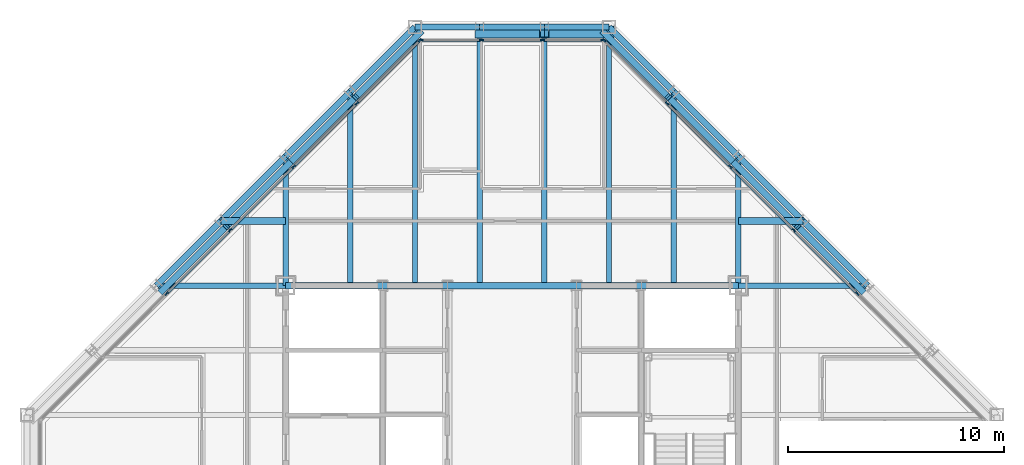
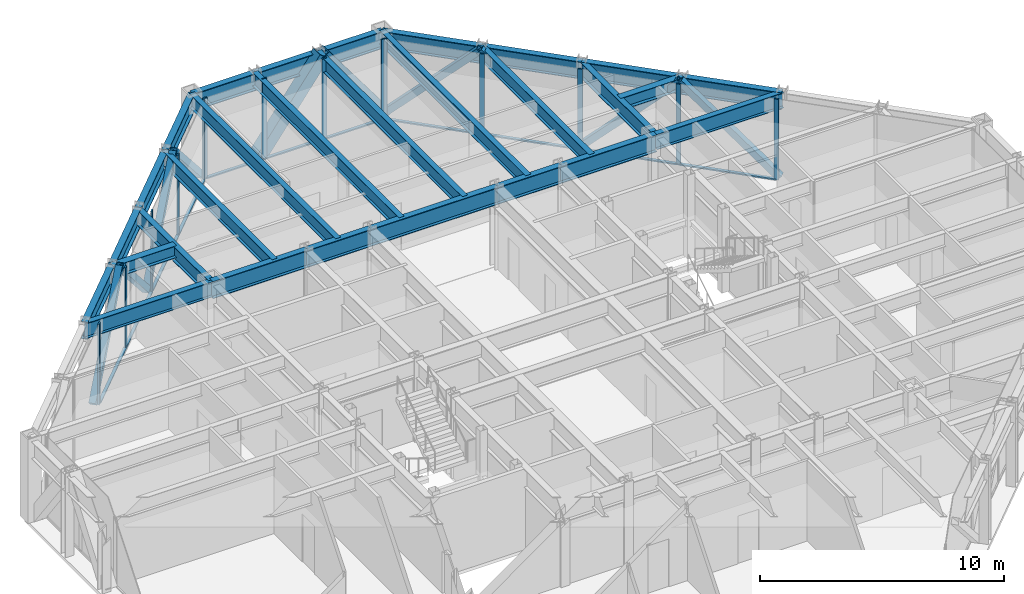
# One storey, part 8 of 15: 35 members, 28 beams, 3 elements without a shape of their own.
"""IFC4 building model written with IfcOpenShell, lengths in metres."""

from ifc_helpers import new_model, si_unit, direction, frame, origin, origin_2d, place, context, subcontext, project, spatial, rectangle, hollow_rectangle, i_section, extrude, material, layer, layer_set, material_profile, profile_set, type_object, element, aggregate, save


model = new_model("IFC4")

# Units and contexts
model_context = context("Model", 3, precision=1e-05, world=origin(), true_north=direction((0.0, 1.0)))
body_context = subcontext(model_context, "Body", "Model", "MODEL_VIEW")
ifc_project = project(units=[si_unit("LENGTHUNIT", "METRE"), si_unit("AREAUNIT", "SQUARE_METRE"), si_unit("VOLUMEUNIT", "CUBIC_METRE"), si_unit("PLANEANGLEUNIT", "RADIAN"), si_unit("MASSUNIT", "GRAM", prefix="KILO")], contexts=[model_context])

# Site, building, storey
site_placement = place(None, origin())
site = spatial("IfcSite", under=ifc_project, at=site_placement, CompositionType="ELEMENT")
building_placement = place(site_placement, origin())
building = spatial("IfcBuilding", under=site, at=building_placement, Name="Chuquiago Exchange Tower", CompositionType="ELEMENT")
storey_placement = place(building_placement, frame((0.0, 0.0, 291.60009765625)))
storey = spatial("IfcBuildingStorey", under=building, at=storey_placement, Name="L65", CompositionType="ELEMENT", Elevation=291.60009765625)

# Beams
ifc_material_1 = material(Name="Steel ASTM A992", Category="steel")
ifc_material_profile_1 = material_profile(ifc_material_1, i_section(OverallWidth=0.25390625, OverallDepth=0.683349609375, WebThickness=0.012451171875, FlangeThickness=0.018798828125, at=origin_2d()), Name="W27X94")
ifc_profile_set_1 = profile_set([ifc_material_profile_1], Name="Steel ASTM A992")
beam_type_1 = type_object("IfcBeamType", Name="B1 W27X94", PredefinedType="BEAM", material=ifc_profile_set_1)
beam_1_placement = place(storey_placement, frame((15.0, 33.0, 3.6982421875), z_axis=(0.0, 1.0, 0.0), x_axis=(-1.0, 0.0, 0.0)))
element("IfcBeam", 1, at=beam_1_placement, inside=storey, type_object=beam_type_1, Name="FB-L66-infill-15_33-15_42-0", PredefinedType="BEAM", context=body_context, shape_type="SweptSolid", body=[
    extrude(i_section(OverallWidth=0.25390625, OverallDepth=0.683349609375, WebThickness=0.012451171875, FlangeThickness=0.018798828125, at=origin_2d()), origin(), (0.0, 0.0, 1.0), 9.0),
])
for number, where, z_axis, x_axis, name in (
    (2, (18.0, 33.0, 3.6982421875), (0.0, 1.0, 0.0), (-1.0, 0.0, 0.0), "FB-L66-infill-18_33-18_45-0"),
    (3, (21.0, 33.0, 3.6982421875), (0.0, 1.0, 0.0), (-1.0, 0.0, 0.0), "FB-L66-infill-21_33-21_45-0"),
    (4, (24.0, 33.0, 3.6982421875), (0.0, 1.0, 0.0), (-1.0, 0.0, 0.0), "FB-L66-infill-24_33-24_45-0"),
    (5, (27.0, 33.0, 3.6982421875), (0.0, 1.0, 0.0), (-1.0, 0.0, 0.0), "FB-L66-infill-27_33-27_45-0"),
):
    element("IfcBeam", number, at=place(storey_placement, frame(where, z_axis=z_axis, x_axis=x_axis)), inside=storey, type_object=beam_type_1, Name=name, PredefinedType="BEAM", context=body_context, shape_type="SweptSolid", body=[
        extrude(i_section(OverallWidth=0.25390625, OverallDepth=0.683349609375, WebThickness=0.012451171875, FlangeThickness=0.018798828125, at=origin_2d()), origin(), (0.0, 0.0, 1.0), 12.0),
    ])
beam_2_placement = place(storey_placement, frame((30.0, 33.0, 3.6982421875), z_axis=(0.0, 1.0, 0.0), x_axis=(-1.0, 0.0, 0.0)))
element("IfcBeam", 6, at=beam_2_placement, inside=storey, type_object=beam_type_1, Name="FB-L66-infill-30_33-30_42-0", PredefinedType="BEAM", context=body_context, shape_type="SweptSolid", body=[
    extrude(i_section(OverallWidth=0.25390625, OverallDepth=0.683349609375, WebThickness=0.012451171875, FlangeThickness=0.018798828125, at=origin_2d()), origin(), (0.0, 0.0, 1.0), 9.0),
])
ifc_material_2 = material(Name="Steel ASTM A992", Category="steel")
ifc_material_profile_2 = material_profile(ifc_material_2, i_section(OverallWidth=0.3251953125, OverallDepth=0.612060546875, WebThickness=0.0126953125, FlangeThickness=0.01904296875, at=origin_2d()), Name="W24X104")
ifc_profile_set_2 = profile_set([ifc_material_profile_2], Name="Steel ASTM A992")
beam_type_2 = type_object("IfcBeamType", Name="B2 W24X104", PredefinedType="BEAM", material=ifc_profile_set_2)
for number, where, z_axis, x_axis, name in (
    (7, (12.0, 36.0, 3.73388671875), (-1.0, 0.0, 0.0), (0.0, -1.0, 0.0), "FB-L66-corner-12_36-9_36-0"),
    (8, (33.0, 36.0, 3.73388671875), (1.0, 0.0, 0.0), (0.0, 1.0, 0.0), "FB-L66-corner-33_36-36_36-0"),
):
    element("IfcBeam", number, at=place(storey_placement, frame(where, z_axis=z_axis, x_axis=x_axis)), inside=storey, type_object=beam_type_2, Name=name, PredefinedType="BEAM", context=body_context, shape_type="SweptSolid", body=[
        extrude(i_section(OverallWidth=0.3251953125, OverallDepth=0.612060546875, WebThickness=0.0126953125, FlangeThickness=0.01904296875, at=origin_2d()), origin(), (0.0, 0.0, 1.0), 3.0),
    ])
ifc_material_3 = material(Name="Steel ASTM A992", Category="steel")
ifc_material_profile_3 = material_profile(ifc_material_3, i_section(OverallWidth=0.2919921875, OverallDepth=0.8583984375, WebThickness=0.01708984375, FlangeThickness=0.031005859375, at=origin_2d()), Name="W33X169")
ifc_profile_set_3 = profile_set([ifc_material_profile_3], Name="Steel ASTM A992")
beam_type_3 = type_object("IfcBeamType", Name="B3 W33X169", PredefinedType="BEAM", material=ifc_profile_set_3)
beam_3_placement = place(storey_placement, frame((12.0, 33.0, 3.610595703125), z_axis=(1.0, 0.0, 0.0), x_axis=(0.0, 1.0, 0.0)))
element("IfcBeam", 9, at=beam_3_placement, inside=storey, type_object=beam_type_3, Name="CB-L66-12_33-16.5_33", PredefinedType="BEAM", context=body_context, shape_type="SweptSolid", body=[
    extrude(i_section(OverallWidth=0.2919921875, OverallDepth=0.8583984375, WebThickness=0.01708984375, FlangeThickness=0.031005859375, at=origin_2d()), origin(), (0.0, 0.0, 1.0), 4.5),
])
beam_4_placement = place(storey_placement, frame((16.5, 33.0, 3.610595703125), z_axis=(1.0, 0.0, 0.0), x_axis=(0.0, 1.0, 0.0)))
element("IfcBeam", 10, at=beam_4_placement, inside=storey, type_object=beam_type_3, Name="CB-L66-16.5_33-19.5_33", PredefinedType="BEAM", context=body_context, shape_type="SweptSolid", body=[
    extrude(i_section(OverallWidth=0.2919921875, OverallDepth=0.8583984375, WebThickness=0.01708984375, FlangeThickness=0.031005859375, at=origin_2d()), origin(), (0.0, 0.0, 1.0), 3.0),
])
beam_5_placement = place(storey_placement, frame((19.5, 33.0, 3.610595703125), z_axis=(1.0, 0.0, 0.0), x_axis=(0.0, 1.0, 0.0)))
element("IfcBeam", 11, at=beam_5_placement, inside=storey, type_object=beam_type_3, Name="CB-L66-19.5_33-25.5_33", PredefinedType="BEAM", context=body_context, shape_type="SweptSolid", body=[
    extrude(i_section(OverallWidth=0.2919921875, OverallDepth=0.8583984375, WebThickness=0.01708984375, FlangeThickness=0.031005859375, at=origin_2d()), origin(), (0.0, 0.0, 1.0), 6.0),
])
beam_6_placement = place(storey_placement, frame((25.5, 33.0, 3.610595703125), z_axis=(1.0, 0.0, 0.0), x_axis=(0.0, 1.0, 0.0)))
element("IfcBeam", 12, at=beam_6_placement, inside=storey, type_object=beam_type_3, Name="CB-L66-25.5_33-28.5_33", PredefinedType="BEAM", context=body_context, shape_type="SweptSolid", body=[
    extrude(i_section(OverallWidth=0.2919921875, OverallDepth=0.8583984375, WebThickness=0.01708984375, FlangeThickness=0.031005859375, at=origin_2d()), origin(), (0.0, 0.0, 1.0), 3.0),
])
beam_7_placement = place(storey_placement, frame((28.5, 33.0, 3.610595703125), z_axis=(1.0, 0.0, 0.0), x_axis=(0.0, 1.0, 0.0)))
element("IfcBeam", 13, at=beam_7_placement, inside=storey, type_object=beam_type_3, Name="CB-L66-28.5_33-33_33", PredefinedType="BEAM", context=body_context, shape_type="SweptSolid", body=[
    extrude(i_section(OverallWidth=0.2919921875, OverallDepth=0.8583984375, WebThickness=0.01708984375, FlangeThickness=0.031005859375, at=origin_2d()), origin(), (0.0, 0.0, 1.0), 4.5),
])

# Curtain wall, members
ifc_material_4 = material(Name="Aluminium curtain wall system", Category="aluminium")
ifc_layer_1 = layer(ifc_material_4, 0.22509765625)
ifc_layer_set_1 = layer_set([ifc_layer_1], Name="CW2 office curtain wall")
curtain_wall_type_1 = type_object("IfcCurtainWallType", Name="CW2 office curtain wall", PredefinedType="NOTDEFINED", material=ifc_layer_set_1)
curtain_wall_1_placement = place(storey_placement, origin())
curtain_wall_1 = element("IfcCurtainWall", 14, at=curtain_wall_1_placement, inside=storey, type_object=curtain_wall_type_1, Name="CW2 curtain wall L65", PredefinedType="NOTDEFINED")
ifc_material_5 = material(Name="Aluminium mullion, pale anodised", Category="aluminium")
ifc_material_profile_4 = material_profile(ifc_material_5, rectangle(XDim=0.06494140625, YDim=0.22509765625, at=origin_2d()), Name="AL 65x225")
ifc_profile_set_4 = profile_set([ifc_material_profile_4], Name="Aluminium mullion, pale anodised")
member_type_1 = type_object("IfcMemberType", Name="CW2-M mullion 65x225", PredefinedType="MULLION", material=ifc_profile_set_4)
member_1_placement = place(storey_placement, frame((26.718994140625, 44.39990234375, 0.0), z_axis=(0.0, 0.0, 1.0), x_axis=(0.0, -1.0, 0.0)))
member_1 = element("IfcMember", 15, at=member_1_placement, type_object=member_type_1, Name="CW2 mullion 1", PredefinedType="MULLION", context=body_context, shape_type="SweptSolid", body=[
    extrude(rectangle(XDim=0.06494140625, YDim=0.22509765625, at=origin_2d()), origin(), (0.0, 0.0, 1.0), 4.039794921875),
])
member_2_placement = place(storey_placement, frame((23.917236328125, 44.39990234375, 0.0), z_axis=(0.0, 0.0, 1.0), x_axis=(0.0, -1.0, 0.0)))
member_2 = element("IfcMember", 16, at=member_2_placement, type_object=member_type_1, Name="CW2 mullion 2", PredefinedType="MULLION", context=body_context, shape_type="SweptSolid", body=[
    extrude(rectangle(XDim=0.06494140625, YDim=0.22509765625, at=origin_2d()), origin(), (0.0, 0.0, 1.0), 4.039794921875),
])
member_3_placement = place(storey_placement, frame((21.082763671875, 44.39990234375, 0.0), z_axis=(0.0, 0.0, 1.0), x_axis=(0.0, -1.0, 0.0)))
member_3 = element("IfcMember", 17, at=member_3_placement, type_object=member_type_1, Name="CW2 mullion 3", PredefinedType="MULLION", context=body_context, shape_type="SweptSolid", body=[
    extrude(rectangle(XDim=0.06494140625, YDim=0.22509765625, at=origin_2d()), origin(), (0.0, 0.0, 1.0), 4.039794921875),
])
member_4_placement = place(storey_placement, frame((18.281005859375, 44.39990234375, 0.0), z_axis=(0.0, 0.0, 1.0), x_axis=(0.0, -1.0, 0.0)))
member_4 = element("IfcMember", 18, at=member_4_placement, type_object=member_type_1, Name="CW2 mullion 4", PredefinedType="MULLION", context=body_context, shape_type="SweptSolid", body=[
    extrude(rectangle(XDim=0.06494140625, YDim=0.22509765625, at=origin_2d()), origin(), (0.0, 0.0, 1.0), 4.039794921875),
])
ifc_material_6 = material(Name="Aluminium transom, pale anodised", Category="aluminium")
ifc_material_profile_5 = material_profile(ifc_material_6, rectangle(XDim=0.139892578125, YDim=0.06494140625, at=origin_2d()), Name="AL 140x65")
ifc_profile_set_5 = profile_set([ifc_material_profile_5], Name="Aluminium transom, pale anodised")
member_type_2 = type_object("IfcMemberType", Name="CW2-T transom 65x140", PredefinedType="MULLION", material=ifc_profile_set_5)
member_5_placement = place(storey_placement, frame((26.6865234375, 44.39990234375, 0.032470703125), z_axis=(-1.0, 0.0, 0.0), x_axis=(0.0, -1.0, 0.0)))
member_5 = element("IfcMember", 19, at=member_5_placement, type_object=member_type_2, Name="CW2 transom 1.1", PredefinedType="MULLION", context=body_context, shape_type="SweptSolid", body=[
    extrude(rectangle(XDim=0.139892578125, YDim=0.06494140625, at=origin_2d()), origin(), (0.0, 0.0, 1.0), 2.73681640625),
])
member_6_placement = place(storey_placement, frame((23.884765625, 44.39990234375, 0.032470703125), z_axis=(-1.0, 0.0, 0.0), x_axis=(0.0, -1.0, 0.0)))
member_6 = element("IfcMember", 20, at=member_6_placement, type_object=member_type_2, Name="CW2 transom 2.1", PredefinedType="MULLION", context=body_context, shape_type="SweptSolid", body=[
    extrude(rectangle(XDim=0.139892578125, YDim=0.06494140625, at=origin_2d()), origin(), (0.0, 0.0, 1.0), 2.76953125),
])
member_7_placement = place(storey_placement, frame((21.05029296875, 44.39990234375, 0.032470703125), z_axis=(-1.0, 0.0, 0.0), x_axis=(0.0, -1.0, 0.0)))
member_7 = element("IfcMember", 21, at=member_7_placement, type_object=member_type_2, Name="CW2 transom 3.1", PredefinedType="MULLION", context=body_context, shape_type="SweptSolid", body=[
    extrude(rectangle(XDim=0.139892578125, YDim=0.06494140625, at=origin_2d()), origin(), (0.0, 0.0, 1.0), 2.73681640625),
])
aggregate(curtain_wall_1, [member_1, member_2, member_3, member_4, member_5, member_6, member_7])

ifc_material_7 = material(Name="Aluminium curtain wall system", Category="aluminium")
ifc_layer_2 = layer(ifc_material_7, 0.199951171875)
ifc_layer_set_2 = layer_set([ifc_layer_2], Name="CW3 facet curtain wall")
curtain_wall_type_2 = type_object("IfcCurtainWallType", Name="CW3 facet curtain wall", PredefinedType="NOTDEFINED", material=ifc_layer_set_2)
curtain_wall_2_placement = place(storey_placement, origin())
curtain_wall_2 = element("IfcCurtainWall", 22, at=curtain_wall_2_placement, inside=storey, type_object=curtain_wall_type_2, Name="CW3 curtain wall L65", PredefinedType="NOTDEFINED")
ifc_material_8 = material(Name="Aluminium mullion, pale anodised", Category="aluminium")
ifc_material_profile_6 = material_profile(ifc_material_8, rectangle(XDim=0.06494140625, YDim=0.199951171875, at=origin_2d()), Name="AL 65x200")
ifc_profile_set_6 = profile_set([ifc_material_profile_6], Name="Aluminium mullion, pale anodised")
member_type_3 = type_object("IfcMemberType", Name="CW3-M mullion 65x200", PredefinedType="MULLION", material=ifc_profile_set_6)
member_8_placement = place(storey_placement, frame((38.51708984375, 32.63427734375, 0.0), z_axis=(0.0, 0.0, 1.0), x_axis=(-0.707106781187, -0.707106781187, 0.0)))
member_8 = element("IfcMember", 23, at=member_8_placement, type_object=member_type_3, Name="CW3 mullion 3", PredefinedType="MULLION", context=body_context, shape_type="SweptSolid", body=[
    extrude(rectangle(XDim=0.06494140625, YDim=0.199951171875, at=origin_2d()), origin(), (0.0, 0.0, 1.0), 4.039794921875),
])
member_9_placement = place(storey_placement, frame((35.57568359375, 35.57568359375, 0.0), z_axis=(0.0, 0.0, 1.0), x_axis=(-0.707106781187, -0.707106781187, 0.0)))
member_9 = element("IfcMember", 24, at=member_9_placement, type_object=member_type_3, Name="CW3 mullion 4", PredefinedType="MULLION", context=body_context, shape_type="SweptSolid", body=[
    extrude(rectangle(XDim=0.06494140625, YDim=0.199951171875, at=origin_2d()), origin(), (0.0, 0.0, 1.0), 4.039794921875),
])
member_10_placement = place(storey_placement, frame((32.63427734375, 38.51708984375, 0.0), z_axis=(0.0, 0.0, 1.0), x_axis=(-0.707106781187, -0.707106781187, 0.0)))
member_10 = element("IfcMember", 25, at=member_10_placement, type_object=member_type_3, Name="CW3 mullion 5", PredefinedType="MULLION", context=body_context, shape_type="SweptSolid", body=[
    extrude(rectangle(XDim=0.06494140625, YDim=0.199951171875, at=origin_2d()), origin(), (0.0, 0.0, 1.0), 4.039794921875),
])
member_11_placement = place(storey_placement, frame((29.69287109375, 41.45849609375, 0.0), z_axis=(0.0, 0.0, 1.0), x_axis=(-0.707106781187, -0.707106781187, 0.0)))
member_11 = element("IfcMember", 26, at=member_11_placement, type_object=member_type_3, Name="CW3 mullion 6", PredefinedType="MULLION", context=body_context, shape_type="SweptSolid", body=[
    extrude(rectangle(XDim=0.06494140625, YDim=0.199951171875, at=origin_2d()), origin(), (0.0, 0.0, 1.0), 4.039794921875),
])
member_12_placement = place(storey_placement, frame((26.7744140625, 44.376953125, 0.0), z_axis=(0.0, 0.0, 1.0), x_axis=(-0.707106781187, -0.707106781187, 0.0)))
member_12 = element("IfcMember", 27, at=member_12_placement, type_object=member_type_3, Name="CW3 mullion 7", PredefinedType="MULLION", context=body_context, shape_type="SweptSolid", body=[
    extrude(rectangle(XDim=0.06494140625, YDim=0.199951171875, at=origin_2d()), origin(), (0.0, 0.0, 1.0), 4.039794921875),
])

curtain_wall_3_placement = place(storey_placement, origin())
curtain_wall_3 = element("IfcCurtainWall", 28, at=curtain_wall_3_placement, inside=storey, type_object=curtain_wall_type_2, Name="CW3 curtain wall L65", PredefinedType="NOTDEFINED")
member_13_placement = place(storey_placement, frame((18.2255859375, 44.376953125, 0.0), z_axis=(0.0, 0.0, 1.0), x_axis=(0.707106781187, -0.707106781187, 0.0)))
member_13 = element("IfcMember", 29, at=member_13_placement, type_object=member_type_3, Name="CW3 mullion 1", PredefinedType="MULLION", context=body_context, shape_type="SweptSolid", body=[
    extrude(rectangle(XDim=0.06494140625, YDim=0.199951171875, at=origin_2d()), origin(), (0.0, 0.0, 1.0), 4.039794921875),
])
member_14_placement = place(storey_placement, frame((15.30712890625, 41.45849609375, 0.0), z_axis=(0.0, 0.0, 1.0), x_axis=(0.707106781187, -0.707106781187, 0.0)))
member_14 = element("IfcMember", 30, at=member_14_placement, type_object=member_type_3, Name="CW3 mullion 2", PredefinedType="MULLION", context=body_context, shape_type="SweptSolid", body=[
    extrude(rectangle(XDim=0.06494140625, YDim=0.199951171875, at=origin_2d()), origin(), (0.0, 0.0, 1.0), 4.039794921875),
])
member_15_placement = place(storey_placement, frame((12.36572265625, 38.51708984375, 0.0), z_axis=(0.0, 0.0, 1.0), x_axis=(0.707106781187, -0.707106781187, 0.0)))
member_15 = element("IfcMember", 31, at=member_15_placement, type_object=member_type_3, Name="CW3 mullion 3", PredefinedType="MULLION", context=body_context, shape_type="SweptSolid", body=[
    extrude(rectangle(XDim=0.06494140625, YDim=0.199951171875, at=origin_2d()), origin(), (0.0, 0.0, 1.0), 4.039794921875),
])
member_16_placement = place(storey_placement, frame((9.42431640625, 35.57568359375, 0.0), z_axis=(0.0, 0.0, 1.0), x_axis=(0.707106781187, -0.707106781187, 0.0)))
member_16 = element("IfcMember", 32, at=member_16_placement, type_object=member_type_3, Name="CW3 mullion 4", PredefinedType="MULLION", context=body_context, shape_type="SweptSolid", body=[
    extrude(rectangle(XDim=0.06494140625, YDim=0.199951171875, at=origin_2d()), origin(), (0.0, 0.0, 1.0), 4.039794921875),
])
member_17_placement = place(storey_placement, frame((6.48291015625, 32.63427734375, 0.0), z_axis=(0.0, 0.0, 1.0), x_axis=(0.707106781187, -0.707106781187, 0.0)))
member_17 = element("IfcMember", 33, at=member_17_placement, type_object=member_type_3, Name="CW3 mullion 5", PredefinedType="MULLION", context=body_context, shape_type="SweptSolid", body=[
    extrude(rectangle(XDim=0.06494140625, YDim=0.199951171875, at=origin_2d()), origin(), (0.0, 0.0, 1.0), 4.039794921875),
])

# Member
ifc_material_9 = material(Name="Aluminium transom, pale anodised", Category="aluminium")
ifc_material_profile_7 = material_profile(ifc_material_9, rectangle(XDim=0.139892578125, YDim=0.06494140625, at=origin_2d()), Name="AL 140x65")
ifc_profile_set_7 = profile_set([ifc_material_profile_7], Name="Aluminium transom, pale anodised")
member_type_4 = type_object("IfcMemberType", Name="CW3-T transom 65x140", PredefinedType="MULLION", material=ifc_profile_set_7)
member_18_placement = place(storey_placement, frame((38.494140625, 32.6572265625, 0.032470703125), z_axis=(-0.707106781187, 0.707106781187, 0.0), x_axis=(-0.707106781187, -0.707106781187, 0.0)))
member_18 = element("IfcMember", 34, at=member_18_placement, type_object=member_type_4, Name="CW3 transom 3.1", PredefinedType="MULLION", context=body_context, shape_type="SweptSolid", body=[
    extrude(rectangle(XDim=0.139892578125, YDim=0.06494140625, at=origin_2d()), origin(), (0.0, 0.0, 1.0), 4.094970703125),
])

member_19_placement = place(storey_placement, frame((35.552734375, 35.5986328125, 0.032470703125), z_axis=(-0.707106781187, 0.707106781187, 0.0), x_axis=(-0.707106781187, -0.707106781187, 0.0)))
member_19 = element("IfcMember", 35, at=member_19_placement, type_object=member_type_4, Name="CW3 transom 4.1", PredefinedType="MULLION", context=body_context, shape_type="SweptSolid", body=[
    extrude(rectangle(XDim=0.139892578125, YDim=0.06494140625, at=origin_2d()), origin(), (0.0, 0.0, 1.0), 4.094970703125),
])

member_20_placement = place(storey_placement, frame((32.611328125, 38.5400390625, 0.032470703125), z_axis=(-0.707106781187, 0.707106781187, 0.0), x_axis=(-0.707106781187, -0.707106781187, 0.0)))
member_20 = element("IfcMember", 36, at=member_20_placement, type_object=member_type_4, Name="CW3 transom 5.1", PredefinedType="MULLION", context=body_context, shape_type="SweptSolid", body=[
    extrude(rectangle(XDim=0.139892578125, YDim=0.06494140625, at=origin_2d()), origin(), (0.0, 0.0, 1.0), 4.094970703125),
])

member_21_placement = place(storey_placement, frame((29.669921875, 41.4814453125, 0.032470703125), z_axis=(-0.707106781187, 0.707106781187, 0.0), x_axis=(-0.707106781187, -0.707106781187, 0.0)))
member_21 = element("IfcMember", 37, at=member_21_placement, type_object=member_type_4, Name="CW3 transom 6.1", PredefinedType="MULLION", context=body_context, shape_type="SweptSolid", body=[
    extrude(rectangle(XDim=0.139892578125, YDim=0.06494140625, at=origin_2d()), origin(), (0.0, 0.0, 1.0), 4.0625),
])

aggregate(curtain_wall_2, [member_8, member_9, member_10, member_11, member_12, member_18, member_19, member_20, member_21])

member_22_placement = place(storey_placement, frame((18.20263671875, 44.35400390625, 0.032470703125), z_axis=(-0.707106781187, -0.707106781187, 0.0), x_axis=(0.707106781187, -0.707106781187, 0.0)))
member_22 = element("IfcMember", 38, at=member_22_placement, type_object=member_type_4, Name="CW3 transom 1.1", PredefinedType="MULLION", context=body_context, shape_type="SweptSolid", body=[
    extrude(rectangle(XDim=0.139892578125, YDim=0.06494140625, at=origin_2d()), origin(), (0.0, 0.0, 1.0), 4.0625),
])

member_23_placement = place(storey_placement, frame((15.2841796875, 41.435546875, 0.032470703125), z_axis=(-0.707106781187, -0.707106781187, 0.0), x_axis=(0.707106781187, -0.707106781187, 0.0)))
member_23 = element("IfcMember", 39, at=member_23_placement, type_object=member_type_4, Name="CW3 transom 2.1", PredefinedType="MULLION", context=body_context, shape_type="SweptSolid", body=[
    extrude(rectangle(XDim=0.139892578125, YDim=0.06494140625, at=origin_2d()), origin(), (0.0, 0.0, 1.0), 4.094970703125),
])

member_24_placement = place(storey_placement, frame((12.3427734375, 38.494140625, 0.032470703125), z_axis=(-0.707106781187, -0.707106781187, 0.0), x_axis=(0.707106781187, -0.707106781187, 0.0)))
member_24 = element("IfcMember", 40, at=member_24_placement, type_object=member_type_4, Name="CW3 transom 3.1", PredefinedType="MULLION", context=body_context, shape_type="SweptSolid", body=[
    extrude(rectangle(XDim=0.139892578125, YDim=0.06494140625, at=origin_2d()), origin(), (0.0, 0.0, 1.0), 4.094970703125),
])

member_25_placement = place(storey_placement, frame((9.4013671875, 35.552734375, 0.032470703125), z_axis=(-0.707106781187, -0.707106781187, 0.0), x_axis=(0.707106781187, -0.707106781187, 0.0)))
member_25 = element("IfcMember", 41, at=member_25_placement, type_object=member_type_4, Name="CW3 transom 4.1", PredefinedType="MULLION", context=body_context, shape_type="SweptSolid", body=[
    extrude(rectangle(XDim=0.139892578125, YDim=0.06494140625, at=origin_2d()), origin(), (0.0, 0.0, 1.0), 4.094970703125),
])

aggregate(curtain_wall_3, [member_13, member_14, member_15, member_16, member_17, member_22, member_23, member_24, member_25])

# Beams
ifc_material_10 = material(Name="Steel ASTM A992", Category="steel")
ifc_material_profile_8 = material_profile(ifc_material_10, i_section(OverallWidth=0.2666015625, OverallDepth=0.76953125, WebThickness=0.015625, FlangeThickness=0.025390625, at=origin_2d()), Name="W30X132")
ifc_profile_set_8 = profile_set([ifc_material_profile_8], Name="Steel ASTM A992")
beam_type_4 = type_object("IfcBeamType", Name="G1 W30X132", PredefinedType="BEAM", material=ifc_profile_set_8)
for number, where, z_axis, x_axis, name in (
    (42, (12.0, 33.0, 3.655029296875), (0.0, 1.0, 0.0), (-1.0, 0.0, 0.0), "FB-L66-girder-12_33-12_39-0"),
    (43, (33.0, 33.0, 3.655029296875), (0.0, 1.0, 0.0), (-1.0, 0.0, 0.0), "FB-L66-girder-33_33-33_39-0"),
    (44, (33.0, 33.0, 3.655029296875), (1.0, 0.0, 0.0), (0.0, 1.0, 0.0), "FB-L66-girder-33_33-39_33-0"),
    (45, (12.0, 33.0, 3.655029296875), (-1.0, 0.0, 0.0), (0.0, -1.0, 0.0), "FB-L66-girder-12_33-6_33-0"),
):
    element("IfcBeam", number, at=place(storey_placement, frame(where, z_axis=z_axis, x_axis=x_axis)), inside=storey, type_object=beam_type_4, Name=name, PredefinedType="BEAM", context=body_context, shape_type="SweptSolid", body=[
        extrude(i_section(OverallWidth=0.2666015625, OverallDepth=0.76953125, WebThickness=0.015625, FlangeThickness=0.025390625, at=origin_2d()), origin(), (0.0, 0.0, 1.0), 6.0),
    ])

# Members
ifc_material_11 = material(Name="Steel ASTM A500 Grade C", Category="steel")
ifc_material_profile_9 = material_profile(ifc_material_11, hollow_rectangle(XDim=0.3046875, YDim=0.3046875, WallThickness=0.0146484375, at=origin_2d()), Name="HSS12X12X5/8")
ifc_profile_set_9 = profile_set([ifc_material_profile_9], Name="Steel ASTM A500 Grade C")
member_type_5 = type_object("IfcMemberType", Name="LB3 HSS12X12X5/8", PredefinedType="BRACE", material=ifc_profile_set_9)
for number, where, z_axis, x_axis, name in (
    (46, (38.750732421875, 32.750732421875, 0.0), (-0.51209198167, 0.51209198167, 0.689582195694), (-0.707106781187, -0.707106781187, 0.0), "LB-L65-39_33-36_36"),
    (47, (32.750732421875, 38.750732421875, 0.0), (0.51209198167, -0.51209198167, 0.689582195694), (0.707106781187, 0.707106781187, 0.0), "LB-L65-36_36-33_39"),
    (48, (32.750732421875, 38.750732421875, 0.0), (-0.51209198167, 0.51209198167, 0.689582195694), (-0.707106781187, -0.707106781187, 0.0), "LB-L65-33_39-30_42"),
    (49, (26.750732421875, 44.750732421875, 0.0), (0.51209198167, -0.51209198167, 0.689582195694), (0.707106781187, 0.707106781187, 0.0), "LB-L65-30_42-27_45"),
    (50, (18.249267578125, 44.750732421875, 0.0), (-0.51209198167, -0.51209198167, 0.689582195694), (0.707106781187, -0.707106781187, 0.0), "LB-L65-18_45-15_42"),
    (51, (12.249267578125, 38.750732421875, 0.0), (0.51209198167, 0.51209198167, 0.689582195694), (-0.707106781187, 0.707106781187, 0.0), "LB-L65-15_42-12_39"),
    (52, (12.249267578125, 38.750732421875, 0.0), (-0.51209198167, -0.51209198167, 0.689582195694), (0.707106781187, -0.707106781187, 0.0), "LB-L65-12_39-9_36"),
    (53, (6.249267578125, 32.750732421875, 0.0), (0.51209198167, 0.51209198167, 0.689582195694), (-0.707106781187, 0.707106781187, 0.0), "LB-L65-9_36-6_33"),
):
    element("IfcMember", number, at=place(storey_placement, frame(where, z_axis=z_axis, x_axis=x_axis)), inside=storey, type_object=member_type_5, Name=name, PredefinedType="BRACE", context=body_context, shape_type="SweptSolid", body=[
        extrude(hollow_rectangle(XDim=0.3046875, YDim=0.3046875, WallThickness=0.0146484375, at=origin_2d()), origin(), (0.0, 0.0, 1.0), 5.8583984375),
    ])
ifc_material_12 = material(Name="Steel ASTM A572 Grade 50", Category="steel")
ifc_material_profile_10 = material_profile(ifc_material_12, hollow_rectangle(XDim=0.550048828125, YDim=0.550048828125, WallThickness=0.044921875, at=origin_2d()), Name="BOX550X550X45")
ifc_profile_set_10 = profile_set([ifc_material_profile_10], Name="Steel ASTM A572 Grade 50")
member_type_6 = type_object("IfcMemberType", Name="MB4 BOX550X550X45", PredefinedType="BRACE", material=ifc_profile_set_10)
for number, where, z_axis, x_axis, name in (
    (54, (27.0, 44.77001953125, 0.0), (-0.596197146086, 0.0, 0.802838067732), (0.0, -1.0, 0.0), "Mega diagonal L65 N face"),
    (55, (21.0, 44.77001953125, 0.0), (0.596197146086, 0.0, 0.802838067732), (0.0, 1.0, 0.0), "Mega diagonal L65 N face"),
):
    element("IfcMember", number, at=place(storey_placement, frame(where, z_axis=z_axis, x_axis=x_axis)), inside=storey, type_object=member_type_6, Name=name, PredefinedType="BRACE", context=body_context, shape_type="SweptSolid", body=[
        extrude(hollow_rectangle(XDim=0.550048828125, YDim=0.550048828125, WallThickness=0.044921875, at=origin_2d()), origin(), (0.0, 0.0, 1.0), 5.031982421875),
    ])

# Beams
ifc_material_13 = material(Name="Steel ASTM A992", Category="steel")
ifc_material_profile_11 = material_profile(ifc_material_13, i_section(OverallWidth=0.2919921875, OverallDepth=0.8583984375, WebThickness=0.01708984375, FlangeThickness=0.031005859375, at=origin_2d()), Name="W33X169")
ifc_profile_set_11 = profile_set([ifc_material_profile_11], Name="Steel ASTM A992")
beam_type_5 = type_object("IfcBeamType", Name="SP4 W33X169", PredefinedType="SPANDREL", material=ifc_profile_set_11)
for number, where, z_axis, x_axis, name in (
    (56, (39.0, 33.0, 3.610595703125), (-0.707106781187, 0.707106781187, 0.0), (-0.707106781187, -0.707106781187, 0.0), "SPB-L66-39_33-36_36"),
    (57, (36.0, 36.0, 3.610595703125), (-0.707106781187, 0.707106781187, 0.0), (-0.707106781187, -0.707106781187, 0.0), "SPB-L66-36_36-33_39"),
    (58, (33.0, 39.0, 3.610595703125), (-0.707106781187, 0.707106781187, 0.0), (-0.707106781187, -0.707106781187, 0.0), "SPB-L66-33_39-30_42"),
    (59, (30.0, 42.0, 3.610595703125), (-0.707106781187, 0.707106781187, 0.0), (-0.707106781187, -0.707106781187, 0.0), "SPB-L66-30_42-27_45"),
):
    element("IfcBeam", number, at=place(storey_placement, frame(where, z_axis=z_axis, x_axis=x_axis)), inside=storey, type_object=beam_type_5, Name=name, PredefinedType="SPANDREL", context=body_context, shape_type="SweptSolid", body=[
        extrude(i_section(OverallWidth=0.2919921875, OverallDepth=0.8583984375, WebThickness=0.01708984375, FlangeThickness=0.031005859375, at=origin_2d()), origin(), (0.0, 0.0, 1.0), 4.24267578125),
    ])
for number, where, z_axis, x_axis, name in (
    (60, (27.0, 45.0, 3.610595703125), (-1.0, 0.0, 0.0), (0.0, -1.0, 0.0), "SPB-L66-27_45-24_45"),
    (61, (24.0, 45.0, 3.610595703125), (-1.0, 0.0, 0.0), (0.0, -1.0, 0.0), "SPB-L66-24_45-21_45"),
    (62, (21.0, 45.0, 3.610595703125), (-1.0, 0.0, 0.0), (0.0, -1.0, 0.0), "SPB-L66-21_45-18_45"),
):
    element("IfcBeam", number, at=place(storey_placement, frame(where, z_axis=z_axis, x_axis=x_axis)), inside=storey, type_object=beam_type_5, Name=name, PredefinedType="SPANDREL", context=body_context, shape_type="SweptSolid", body=[
        extrude(i_section(OverallWidth=0.2919921875, OverallDepth=0.8583984375, WebThickness=0.01708984375, FlangeThickness=0.031005859375, at=origin_2d()), origin(), (0.0, 0.0, 1.0), 3.0),
    ])
for number, where, z_axis, x_axis, name in (
    (63, (18.0, 45.0, 3.610595703125), (-0.707106781187, -0.707106781187, 0.0), (0.707106781187, -0.707106781187, 0.0), "SPB-L66-18_45-15_42"),
    (64, (15.0, 42.0, 3.610595703125), (-0.707106781187, -0.707106781187, 0.0), (0.707106781187, -0.707106781187, 0.0), "SPB-L66-15_42-12_39"),
    (65, (12.0, 39.0, 3.610595703125), (-0.707106781187, -0.707106781187, 0.0), (0.707106781187, -0.707106781187, 0.0), "SPB-L66-12_39-9_36"),
    (66, (9.0, 36.0, 3.610595703125), (-0.707106781187, -0.707106781187, 0.0), (0.707106781187, -0.707106781187, 0.0), "SPB-L66-9_36-6_33"),
):
    element("IfcBeam", number, at=place(storey_placement, frame(where, z_axis=z_axis, x_axis=x_axis)), inside=storey, type_object=beam_type_5, Name=name, PredefinedType="SPANDREL", context=body_context, shape_type="SweptSolid", body=[
        extrude(i_section(OverallWidth=0.2919921875, OverallDepth=0.8583984375, WebThickness=0.01708984375, FlangeThickness=0.031005859375, at=origin_2d()), origin(), (0.0, 0.0, 1.0), 4.24267578125),
    ])

save(model, "model.ifc")
